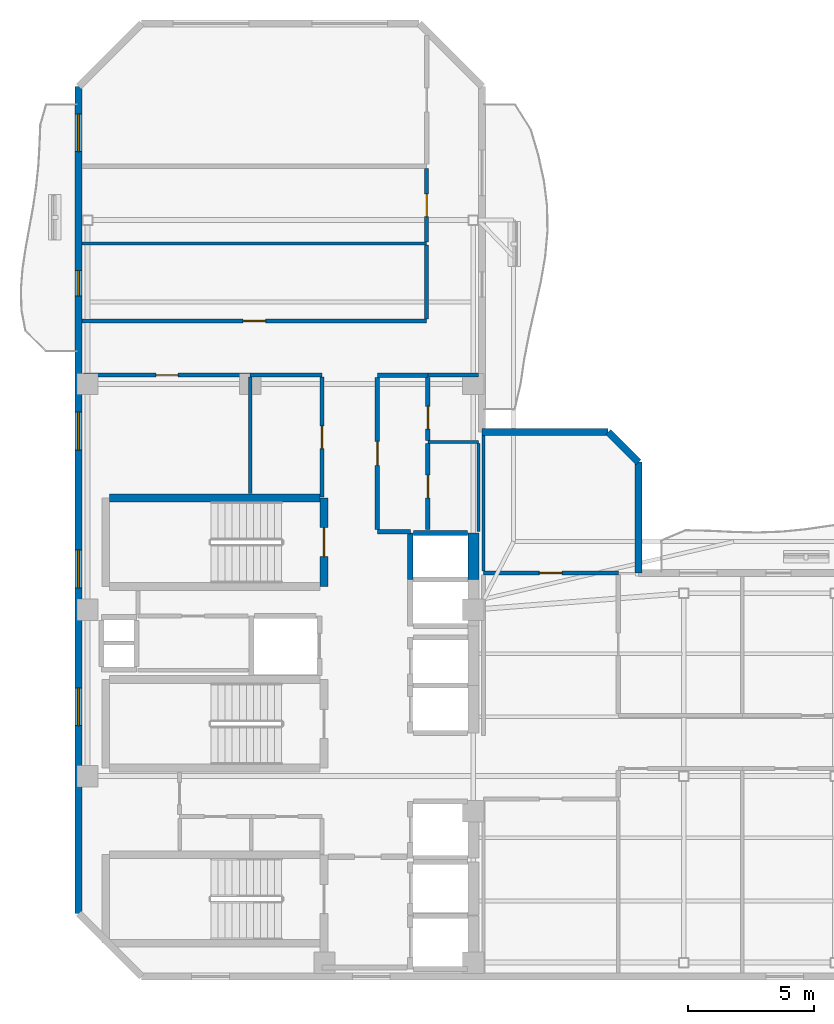
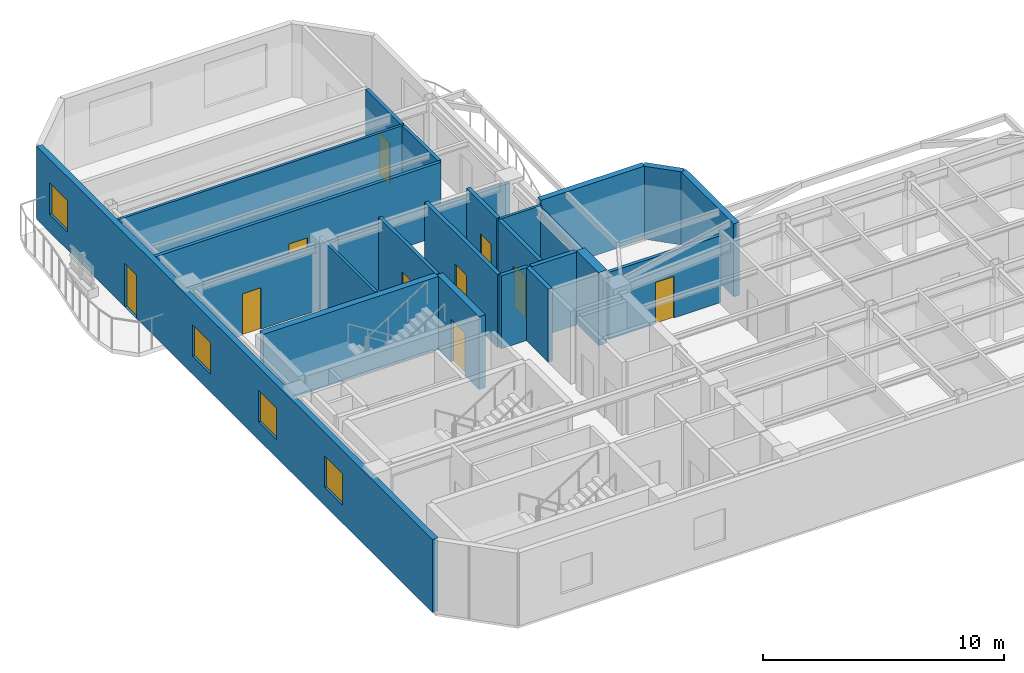
# One storey, part 4 of 7: 27 walls, 10 doors, 4 windows, 14 openings.
"""IFC4 building model written with IfcOpenShell, lengths in metres."""

from ifc_helpers import new_model, si_unit, direction, frame, frame_2d, origin, place, context, subcontext, project, spatial, rectangle, extrude, material, layer, layer_set, type_object, element, fill, save


model = new_model("IFC4")

# Units and contexts
model_context = context("Model", 3, precision=1e-05, world=origin(), true_north=direction((0.0, 1.0)))
body_context = subcontext(model_context, "Body", "Model", "MODEL_VIEW")
ifc_project = project(units=[si_unit("LENGTHUNIT", "METRE"), si_unit("AREAUNIT", "SQUARE_METRE"), si_unit("VOLUMEUNIT", "CUBIC_METRE"), si_unit("PLANEANGLEUNIT", "RADIAN"), si_unit("MASSUNIT", "GRAM", prefix="KILO")], contexts=[model_context])

# Site, building, storey
site_placement = place(None, origin())
site = spatial("IfcSite", under=ifc_project, at=site_placement, CompositionType="ELEMENT")
building_placement = place(site_placement, origin())
building = spatial("IfcBuilding", under=site, at=building_placement, Name="Mawjaban Terraces University", CompositionType="ELEMENT")
storey_placement = place(building_placement, frame((0.0, 0.0, 298.89990234375)))
storey = spatial("IfcBuildingStorey", under=building, at=storey_placement, Name="L73", CompositionType="ELEMENT", Elevation=298.89990234375)

# Walls
ifc_material_1 = material(Name="Acoustic masonry blockwork", Category="masonry")
ifc_layer_1 = layer(ifc_material_1, 0.179931640625)
ifc_layer_set_1 = layer_set([ifc_layer_1], Name="Acoustic masonry blockwork")
wall_type_1 = type_object("IfcWallType", Name="AcousticStudioWall_180", PredefinedType="PARTITIONING", material=ifc_layer_set_1)
wall_1_placement = place(storey_placement, frame((33.85009765625, 17.64990234375, 0.0), z_axis=(0.0, 0.0, 1.0), x_axis=(1.0, 0.0, 0.0)))
element("IfcWall", 1, at=wall_1_placement, inside=storey, type_object=wall_type_1, Name="L73 Graduate Research Collaboration Studio Partition 8", PredefinedType="PARTITIONING", context=body_context, shape_type="SweptSolid", body=[
    extrude(rectangle(XDim=1.2998046875, YDim=0.179931640625, at=frame_2d((0.64990234375, 0.0))), origin(), (0.0, 0.0, 1.0), 3.690185546875),
])
wall_2_placement = place(storey_placement, frame((35.85009765625, 23.85009765625, 0.0), z_axis=(0.0, 0.0, 1.0), x_axis=(-1.0, 0.0, 0.0)))
element("IfcWall", 2, at=wall_2_placement, inside=storey, type_object=wall_type_1, Name="L73 Graduate Research Collaboration Studio Partition 14", PredefinedType="PARTITIONING", context=body_context, shape_type="SweptSolid", body=[
    extrude(rectangle(XDim=2.0, YDim=0.179931640625, at=frame_2d((1.0, 0.0))), origin(), (0.0, 0.0, 1.0), 3.22705078125),
])

# Wall, opening, door
wall_3_placement = place(storey_placement, frame((33.85009765625, 17.735107421875, 0.0), z_axis=(0.0, 0.0, 1.0), x_axis=(0.0, 1.0, 0.0)))
wall_3 = element("IfcWall", 3, at=wall_3_placement, inside=storey, type_object=wall_type_1, Name="L73 Core North Lift Lobby Partition 31", PredefinedType="PARTITIONING", context=body_context, shape_type="SweptSolid", body=[
    extrude(rectangle(XDim=6.02978515625, YDim=0.179931640625, at=frame_2d((3.014892578125, 0.0))), origin(), (0.0, 0.0, 1.0), 3.690185546875),
])
opening_1_placement = place(wall_3_placement, frame((2.5400390625, 0.0, 0.0)))
opening_1 = element("IfcOpeningElement", 4, at=opening_1_placement, cuts=wall_3, Name="Opening ID-095", PredefinedType="OPENING", context=body_context, shape_type="SweptSolid", body=[
    extrude(rectangle(XDim=0.949951171875, YDim=2.10009765625, at=frame_2d((0.47509765625, 1.050048828125))), frame((0.0, 0.099853515625, 0.0), z_axis=(0.0, -1.0, 0.0), x_axis=(1.0, 0.0, 0.0)), (0.0, 0.0, 1.0), 0.199951171875),
])
ifc_material_2 = material(Name="Powder-coated steel frame and solid acoustic timber leaf", Category="steel")
door_type_1 = type_object("IfcDoorType", Name="StudioDoor_950x2100", OperationType="NOTDEFINED", PredefinedType="DOOR", material=ifc_material_2)
door_1_placement = place(opening_1_placement, origin())
door_1 = element("IfcDoor", 5, at=door_1_placement, inside=storey, type_object=door_type_1, Name="L73 Graduate Research Collaboration Studio Door", OperationType="SINGLE_SWING_RIGHT", OverallHeight=2.10009765625, OverallWidth=0.949951171875, PredefinedType="DOOR", context=body_context, shape_type="SweptSolid", body=[
    extrude(rectangle(XDim=0.949951171875, YDim=2.10009765625, at=frame_2d((0.47509765625, 1.050048828125))), frame((0.0, 0.02490234375, 0.0), z_axis=(0.0, -1.0, 0.0), x_axis=(1.0, 0.0, 0.0)), (0.0, 0.0, 1.0), 0.050048828125),
])
fill(opening_1, door_1)

wall_4_placement = place(storey_placement, frame((35.85009765625, 17.72998046875, 0.0), z_axis=(0.0, 0.0, 1.0), x_axis=(0.0, 1.0, 0.0)))
wall_4 = element("IfcWall", 6, at=wall_4_placement, inside=storey, type_object=wall_type_1, Name="L73 Graduate Research Collaboration Studio Partition 35", PredefinedType="PARTITIONING", context=body_context, shape_type="SweptSolid", body=[
    extrude(rectangle(XDim=3.412109375, YDim=0.179931640625, at=frame_2d((1.7060546875, 0.0))), origin(), (0.0, 0.0, 1.0), 3.690185546875),
])
opening_2_placement = place(wall_4_placement, frame((1.256103515625, 0.0, 0.0)))
opening_2 = element("IfcOpeningElement", 7, at=opening_2_placement, cuts=wall_4, Name="Opening ID-090", PredefinedType="OPENING", context=body_context, shape_type="SweptSolid", body=[
    extrude(rectangle(XDim=0.89990234375, YDim=2.10009765625, at=frame_2d((0.449951171875, 1.050048828125))), frame((0.0, 0.099853515625, 0.0), z_axis=(0.0, -1.0, 0.0), x_axis=(1.0, 0.0, 0.0)), (0.0, 0.0, 1.0), 0.199951171875),
])
door_type_2 = type_object("IfcDoorType", Name="OfficeDoor_900x2100", OperationType="NOTDEFINED", PredefinedType="DOOR", material=ifc_material_2)
door_2_placement = place(opening_2_placement, origin())
door_2 = element("IfcDoor", 8, at=door_2_placement, inside=storey, type_object=door_type_2, Name="L73 Research Instrument Store Door", OperationType="SINGLE_SWING_RIGHT", OverallHeight=2.10009765625, OverallWidth=0.89990234375, PredefinedType="DOOR", context=body_context, shape_type="SweptSolid", body=[
    extrude(rectangle(XDim=0.89990234375, YDim=2.10009765625, at=frame_2d((0.449951171875, 1.050048828125))), frame((0.0, 0.02490234375, 0.0), z_axis=(0.0, -1.0, 0.0), x_axis=(1.0, 0.0, 0.0)), (0.0, 0.0, 1.0), 0.050048828125),
])
fill(opening_2, door_2)

wall_5_placement = place(storey_placement, frame((35.85009765625, 21.258056640625, 0.0), z_axis=(0.0, 0.0, 1.0), x_axis=(0.0, 1.0, 0.0)))
wall_5 = element("IfcWall", 9, at=wall_5_placement, inside=storey, type_object=wall_type_1, Name="L73 Graduate Research Collaboration Studio Partition 36", PredefinedType="PARTITIONING", context=body_context, shape_type="SweptSolid", body=[
    extrude(rectangle(XDim=2.5068359375, YDim=0.179931640625, at=frame_2d((1.25341796875, 0.0))), origin(), (0.0, 0.0, 1.0), 3.690185546875),
])
opening_3_placement = place(wall_5_placement, frame((0.4541015625, 0.0, 0.0)))
opening_3 = element("IfcOpeningElement", 10, at=opening_3_placement, cuts=wall_5, Name="Opening ID-090", PredefinedType="OPENING", context=body_context, shape_type="SweptSolid", body=[
    extrude(rectangle(XDim=0.89990234375, YDim=2.10009765625, at=frame_2d((0.449951171875, 1.050048828125))), frame((0.0, 0.099853515625, 0.0), z_axis=(0.0, -1.0, 0.0), x_axis=(1.0, 0.0, 0.0)), (0.0, 0.0, 1.0), 0.199951171875),
])
door_3_placement = place(opening_3_placement, origin())
door_3 = element("IfcDoor", 11, at=door_3_placement, inside=storey, type_object=door_type_2, Name="L73 Graduate Quiet Study Alcove Door", OperationType="SINGLE_SWING_LEFT", OverallHeight=2.10009765625, OverallWidth=0.89990234375, PredefinedType="DOOR", context=body_context, shape_type="SweptSolid", body=[
    extrude(rectangle(XDim=0.89990234375, YDim=2.10009765625, at=frame_2d((0.449951171875, 1.050048828125))), frame((0.0, 0.02490234375, 0.0), z_axis=(0.0, -1.0, 0.0), x_axis=(1.0, 0.0, 0.0)), (0.0, 0.0, 1.0), 0.050048828125),
])
fill(opening_3, door_3)

# Wall
ifc_material_3 = material(Name="Concrete C50/60", Category="concrete")
ifc_layer_2 = layer(ifc_material_3, 0.419921875)
ifc_layer_set_2 = layer_set([ifc_layer_2], Name="Concrete C50/60")
wall_type_2 = type_object("IfcWallType", Name="CoreShearWall_420", PredefinedType="SHEAR", material=ifc_layer_set_2)
wall_6_placement = place(storey_placement, frame((37.659912109375, 15.75, 0.0), z_axis=(0.0, 0.0, 1.0), x_axis=(0.0, 1.0, 0.0)))
element("IfcWall", 12, at=wall_6_placement, inside=storey, type_object=wall_type_2, Name="L73 Lift OL-2 Hoistway Wall East", PredefinedType="SHEAR", context=body_context, shape_type="SweptSolid", body=[
    extrude(rectangle(XDim=1.85009765625, YDim=0.419921875, at=frame_2d((0.925048828125, 0.0))), origin(), (0.0, 0.0, 1.0), 3.690185546875),
])

# Wall, opening, door
ifc_material_4 = material(Name="Fire-rated gypsum board on steel stud", Category="steel")
ifc_layer_3 = layer(ifc_material_4, 0.159912109375)
ifc_layer_set_3 = layer_set([ifc_layer_3], Name="Fire-rated gypsum board on steel stud")
wall_type_3 = type_object("IfcWallType", Name="CorridorPartition_160", PredefinedType="PARTITIONING", material=ifc_layer_set_3)
wall_7_placement = place(storey_placement, frame((28.800048828125, 23.85009765625, 0.0), z_axis=(0.0, 0.0, 1.0), x_axis=(-1.0, 0.0, 0.0)))
wall_7 = element("IfcWall", 13, at=wall_7_placement, inside=storey, type_object=wall_type_3, Name="L73 Female Toilet Partition 4", PredefinedType="PARTITIONING", context=body_context, shape_type="SweptSolid", body=[
    extrude(rectangle(XDim=6.60009765625, YDim=0.159912109375, at=frame_2d((3.300048828125, 0.0))), origin(), (0.0, 0.0, 1.0), 3.22705078125),
])
opening_4_placement = place(wall_7_placement, frame((2.860107421875, 0.0, 0.0)))
opening_4 = element("IfcOpeningElement", 14, at=opening_4_placement, cuts=wall_7, Name="Opening ID-088", PredefinedType="OPENING", context=body_context, shape_type="SweptSolid", body=[
    extrude(rectangle(XDim=0.8798828125, YDim=2.10009765625, at=frame_2d((0.43994140625, 1.050048828125))), frame((0.0, 0.08984375, 0.0), z_axis=(0.0, -1.0, 0.0), x_axis=(1.0, 0.0, 0.0)), (0.0, 0.0, 1.0), 0.179931640625),
])
door_type_3 = type_object("IfcDoorType", Name="ToiletDoor_880x2100", OperationType="NOTDEFINED", PredefinedType="DOOR", material=ifc_material_2)
door_4_placement = place(opening_4_placement, origin())
door_4 = element("IfcDoor", 15, at=door_4_placement, inside=storey, type_object=door_type_3, Name="L73 Female Toilet Door", OperationType="SINGLE_SWING_RIGHT", OverallHeight=2.10009765625, OverallWidth=0.8798828125, PredefinedType="DOOR", context=body_context, shape_type="SweptSolid", body=[
    extrude(rectangle(XDim=0.8798828125, YDim=2.10009765625, at=frame_2d((0.43994140625, 1.050048828125))), frame((0.0, 0.02490234375, 0.0), z_axis=(0.0, -1.0, 0.0), x_axis=(1.0, 0.0, 0.0)), (0.0, 0.0, 1.0), 0.050048828125),
])
fill(opening_4, door_4)

# Wall
wall_8_placement = place(storey_placement, frame((31.64990234375, 23.85009765625, 0.0), z_axis=(0.0, 0.0, 1.0), x_axis=(-1.0, 0.0, 0.0)))
element("IfcWall", 16, at=wall_8_placement, inside=storey, type_object=wall_type_3, Name="L73 Faculty Academic Resource Office Partition 7", PredefinedType="PARTITIONING", context=body_context, shape_type="SweptSolid", body=[
    extrude(rectangle(XDim=2.849853515625, YDim=0.159912109375, at=frame_2d((1.4248046875, 0.0))), origin(), (0.0, 0.0, 1.0), 3.22705078125),
])

# Wall, opening, door
wall_9_placement = place(storey_placement, frame((35.800048828125, 26.0, 0.0), z_axis=(0.0, 0.0, 1.0), x_axis=(-1.0, 0.0, 0.0)))
wall_9 = element("IfcWall", 17, at=wall_9_placement, inside=storey, type_object=wall_type_3, Name="L73 North Core Cross-Corridor Partition 10", PredefinedType="PARTITIONING", context=body_context, shape_type="SweptSolid", body=[
    extrude(rectangle(XDim=13.6669921875, YDim=0.159912109375, at=frame_2d((6.83349609375, 0.0))), origin(), (0.0, 0.0, 1.0), 3.690185546875),
])
opening_5_placement = place(wall_9_placement, frame((6.383056640625, 0.0, 0.0)))
opening_5 = element("IfcOpeningElement", 18, at=opening_5_placement, cuts=wall_9, Name="Opening ID-090", PredefinedType="OPENING", context=body_context, shape_type="SweptSolid", body=[
    extrude(rectangle(XDim=0.89990234375, YDim=2.10009765625, at=frame_2d((0.449951171875, 1.050048828125))), frame((0.0, 0.08984375, 0.0), z_axis=(0.0, -1.0, 0.0), x_axis=(1.0, 0.0, 0.0)), (0.0, 0.0, 1.0), 0.179931640625),
])
door_5_placement = place(opening_5_placement, origin())
door_5 = element("IfcDoor", 19, at=door_5_placement, inside=storey, type_object=door_type_2, Name="L73 Departmental Office 8 Door", OperationType="SINGLE_SWING_RIGHT", OverallHeight=2.10009765625, OverallWidth=0.89990234375, PredefinedType="DOOR", context=body_context, shape_type="SweptSolid", body=[
    extrude(rectangle(XDim=0.89990234375, YDim=2.10009765625, at=frame_2d((0.449951171875, 1.050048828125))), frame((0.0, 0.02490234375, 0.0), z_axis=(0.0, -1.0, 0.0), x_axis=(1.0, 0.0, 0.0)), (0.0, 0.0, 1.0), 0.050048828125),
])
fill(opening_5, door_5)

# Wall
wall_10_placement = place(storey_placement, frame((37.85009765625, 23.85009765625, 0.0), z_axis=(0.0, 0.0, 1.0), x_axis=(-1.0, 0.0, 0.0)))
element("IfcWall", 20, at=wall_10_placement, inside=storey, type_object=wall_type_3, Name="L73 Graduate Quiet Study Alcove Partition 15", PredefinedType="PARTITIONING", context=body_context, shape_type="SweptSolid", body=[
    extrude(rectangle(XDim=2.0, YDim=0.159912109375, at=frame_2d((1.0, 0.0))), origin(), (0.0, 0.0, 1.0), 3.22705078125),
])

# Wall, opening, door
wall_11_placement = place(storey_placement, frame((43.39990234375, 16.0, 0.0), z_axis=(0.0, 0.0, 1.0), x_axis=(-1.0, 0.0, 0.0)))
wall_11 = element("IfcWall", 21, at=wall_11_placement, inside=storey, type_object=wall_type_3, Name="L73 Upper Research Hub Concourse Partition 18", PredefinedType="PARTITIONING", context=body_context, shape_type="SweptSolid", body=[
    extrude(rectangle(XDim=5.349853515625, YDim=0.159912109375, at=frame_2d((2.6748046875, 0.0))), origin(), (0.0, 0.0, 1.0), 3.39013671875),
])
opening_6_placement = place(wall_11_placement, frame((2.22509765625, 0.0, 0.0)))
opening_6 = element("IfcOpeningElement", 22, at=opening_6_placement, cuts=wall_11, Name="Opening ID-090", PredefinedType="OPENING", context=body_context, shape_type="SweptSolid", body=[
    extrude(rectangle(XDim=0.89990234375, YDim=2.10009765625, at=frame_2d((0.449951171875, 1.050048828125))), frame((0.0, 0.08984375, 0.0), z_axis=(0.0, -1.0, 0.0), x_axis=(1.0, 0.0, 0.0)), (0.0, 0.0, 1.0), 0.179931640625),
])
door_6_placement = place(opening_6_placement, origin())
door_6 = element("IfcDoor", 23, at=door_6_placement, inside=storey, type_object=door_type_2, Name="L73 Terrace Collaborative Study Room Door", OperationType="SINGLE_SWING_LEFT", OverallHeight=2.10009765625, OverallWidth=0.89990234375, PredefinedType="DOOR", context=body_context, shape_type="SweptSolid", body=[
    extrude(rectangle(XDim=0.89990234375, YDim=2.10009765625, at=frame_2d((0.449951171875, 1.050048828125))), frame((0.0, 0.02490234375, 0.0), z_axis=(0.0, -1.0, 0.0), x_axis=(1.0, 0.0, 0.0)), (0.0, 0.0, 1.0), 0.050048828125),
])
fill(opening_6, door_6)

wall_12_placement = place(storey_placement, frame((31.64990234375, 19.010009765625, 0.0), z_axis=(0.0, 0.0, 1.0), x_axis=(0.0, 1.0, 0.0)))
wall_12 = element("IfcWall", 24, at=wall_12_placement, inside=storey, type_object=wall_type_3, Name="L73 Faculty Academic Resource Office Partition 30", PredefinedType="PARTITIONING", context=body_context, shape_type="SweptSolid", body=[
    extrude(rectangle(XDim=4.764892578125, YDim=0.159912109375, at=frame_2d((2.38232421875, 0.0))), origin(), (0.0, 0.0, 1.0), 3.690185546875),
])
opening_7_placement = place(wall_12_placement, frame((1.931884765625, 0.0, 0.0)))
opening_7 = element("IfcOpeningElement", 25, at=opening_7_placement, cuts=wall_12, Name="Opening ID-090", PredefinedType="OPENING", context=body_context, shape_type="SweptSolid", body=[
    extrude(rectangle(XDim=0.89990234375, YDim=2.10009765625, at=frame_2d((0.449951171875, 1.050048828125))), frame((0.0, 0.08984375, 0.0), z_axis=(0.0, -1.0, 0.0), x_axis=(1.0, 0.0, 0.0)), (0.0, 0.0, 1.0), 0.179931640625),
])
door_7_placement = place(opening_7_placement, origin())
door_7 = element("IfcDoor", 26, at=door_7_placement, inside=storey, type_object=door_type_2, Name="L73 Faculty Academic Resource Office Door", OperationType="SINGLE_SWING_LEFT", OverallHeight=2.10009765625, OverallWidth=0.89990234375, PredefinedType="DOOR", context=body_context, shape_type="SweptSolid", body=[
    extrude(rectangle(XDim=0.89990234375, YDim=2.10009765625, at=frame_2d((0.449951171875, 1.050048828125))), frame((0.0, 0.02490234375, 0.0), z_axis=(0.0, -1.0, 0.0), x_axis=(1.0, 0.0, 0.0)), (0.0, 0.0, 1.0), 0.050048828125),
])
fill(opening_7, door_7)

# Wall
wall_13_placement = place(storey_placement, frame((35.800048828125, 29.011962890625, 0.0), z_axis=(0.0, 0.0, 1.0), x_axis=(0.0, -1.0, 0.0)))
element("IfcWall", 27, at=wall_13_placement, inside=storey, type_object=wall_type_3, Name="L73 Upper North Research Gallery Partition 32", PredefinedType="PARTITIONING", context=body_context, shape_type="SweptSolid", body=[
    extrude(rectangle(XDim=2.93701171875, YDim=0.159912109375, at=frame_2d((1.468505859375, 0.0))), origin(), (0.0, 0.0, 1.0), 3.690185546875),
])

# Wall, opening, door
wall_14_placement = place(storey_placement, frame((35.800048828125, 32.054931640625, 0.0), z_axis=(0.0, 0.0, 1.0), x_axis=(0.0, -1.0, 0.0)))
wall_14 = element("IfcWall", 28, at=wall_14_placement, inside=storey, type_object=wall_type_3, Name="L73 Upper North Research Gallery Partition 33", PredefinedType="PARTITIONING", context=body_context, shape_type="SweptSolid", body=[
    extrude(rectangle(XDim=2.927001953125, YDim=0.159912109375, at=frame_2d((1.46337890625, 0.0))), origin(), (0.0, 0.0, 1.0), 3.690185546875),
])
opening_8_placement = place(wall_14_placement, frame((1.012939453125, 0.0, 0.0)))
opening_8 = element("IfcOpeningElement", 29, at=opening_8_placement, cuts=wall_14, Name="Opening ID-090", PredefinedType="OPENING", context=body_context, shape_type="SweptSolid", body=[
    extrude(rectangle(XDim=0.89990234375, YDim=2.10009765625, at=frame_2d((0.449951171875, 1.050048828125))), frame((0.0, 0.08984375, 0.0), z_axis=(0.0, -1.0, 0.0), x_axis=(1.0, 0.0, 0.0)), (0.0, 0.0, 1.0), 0.179931640625),
])
door_8_placement = place(opening_8_placement, origin())
door_8 = element("IfcDoor", 30, at=door_8_placement, inside=storey, type_object=door_type_2, Name="L73 Quiet Reading Room 9 Door", OperationType="SINGLE_SWING_LEFT", OverallHeight=2.10009765625, OverallWidth=0.89990234375, PredefinedType="DOOR", context=body_context, shape_type="SweptSolid", body=[
    extrude(rectangle(XDim=0.89990234375, YDim=2.10009765625, at=frame_2d((0.449951171875, 1.050048828125))), frame((0.0, 0.02490234375, 0.0), z_axis=(0.0, -1.0, 0.0), x_axis=(1.0, 0.0, 0.0)), (0.0, 0.0, 1.0), 0.050048828125),
])
fill(opening_8, door_8)

# Walls
ifc_material_5 = material(Name="Insulated terracotta rainscreen on concrete backup C40/50", Category="masonry")
ifc_layer_4 = layer(ifc_material_5, 0.27490234375)
ifc_layer_set_4 = layer_set([ifc_layer_4], Name="Insulated terracotta rainscreen on concrete backup C40/50")
wall_type_4 = type_object("IfcWallType", Name="ExtTerracottaWall_275", PredefinedType="SOLIDWALL", material=ifc_layer_set_4)
wall_15_placement = place(storey_placement, frame((44.199951171875, 16.0, 0.0), z_axis=(0.0, 0.0, 1.0), x_axis=(0.0, 1.0, 0.0)))
element("IfcWall", 31, at=wall_15_placement, inside=storey, type_object=wall_type_4, Name="L73 Exterior Terracotta Wall 6", PredefinedType="SOLIDWALL", context=body_context, shape_type="SweptSolid", body=[
    extrude(rectangle(XDim=4.39990234375, YDim=0.27490234375, at=frame_2d((2.199951171875, 0.0))), origin(), (0.0, 0.0, 1.0), 3.690185546875),
])
wall_16_placement = place(storey_placement, frame((44.199951171875, 20.39990234375, 0.0), z_axis=(0.0, 0.0, 1.0), x_axis=(-0.707034851297, 0.707178703759, 0.0)))
element("IfcWall", 32, at=wall_16_placement, inside=storey, type_object=wall_type_4, Name="L73 Exterior Terracotta Wall 7", PredefinedType="SOLIDWALL", context=body_context, shape_type="SweptSolid", body=[
    extrude(rectangle(XDim=1.697265625, YDim=0.27490234375, at=frame_2d((0.8486328125, 0.0))), origin(), (0.0, 0.0, 1.0), 3.690185546875),
])
wall_17_placement = place(storey_placement, frame((43.0, 21.60009765625, 0.0), z_axis=(0.0, 0.0, 1.0), x_axis=(-1.0, 0.0, 0.0)))
element("IfcWall", 33, at=wall_17_placement, inside=storey, type_object=wall_type_4, Name="L73 Exterior Terracotta Wall 8", PredefinedType="SOLIDWALL", context=body_context, shape_type="SweptSolid", body=[
    extrude(rectangle(XDim=5.0, YDim=0.27490234375, at=frame_2d((2.5, 0.0))), origin(), (0.0, 0.0, 1.0), 3.690185546875),
])

# Wall, openings, door, windows
wall_18_placement = place(storey_placement, frame((22.0, 35.300048828125, 0.0), z_axis=(0.0, 0.0, 1.0), x_axis=(0.0, -1.0, 0.0)))
wall_18 = element("IfcWall", 34, at=wall_18_placement, inside=storey, type_object=wall_type_4, Name="L73 Exterior Terracotta Wall 13", PredefinedType="SOLIDWALL", context=body_context, shape_type="SweptSolid", body=[
    extrude(rectangle(XDim=32.800048828125, YDim=0.27490234375, at=frame_2d((16.39990234375, 0.0))), origin(), (0.0, 0.0, 1.0), 3.690185546875),
])
opening_9_placement = place(wall_18_placement, frame((7.300048828125, 0.0, 0.0)))
opening_9 = element("IfcOpeningElement", 35, at=opening_9_placement, cuts=wall_18, Name="Opening BD-100", PredefinedType="OPENING", context=body_context, shape_type="SweptSolid", body=[
    extrude(rectangle(XDim=1.0, YDim=2.199951171875, at=frame_2d((0.5, 1.10009765625))), frame((0.0, 0.1474609375, 0.0), z_axis=(0.0, -1.0, 0.0), x_axis=(1.0, 0.0, 0.0)), (0.0, 0.0, 1.0), 0.294921875),
])
opening_10_placement = place(wall_18_placement, frame((1.0830078125, 0.0, 0.89990234375)))
opening_10 = element("IfcOpeningElement", 36, at=opening_10_placement, cuts=wall_18, Name="Opening W-02", PredefinedType="OPENING", context=body_context, shape_type="SweptSolid", body=[
    extrude(rectangle(XDim=1.5, YDim=1.60009765625, at=frame_2d((0.75, 0.800048828125))), frame((0.0, 0.1474609375, 0.0), z_axis=(0.0, -1.0, 0.0), x_axis=(1.0, 0.0, 0.0)), (0.0, 0.0, 1.0), 0.294921875),
])
opening_11_placement = place(wall_18_placement, frame((12.9169921875, 0.0, 0.89990234375)))
opening_11 = element("IfcOpeningElement", 37, at=opening_11_placement, cuts=wall_18, Name="Opening W-02", PredefinedType="OPENING", context=body_context, shape_type="SweptSolid", body=[
    extrude(rectangle(XDim=1.5, YDim=1.60009765625, at=frame_2d((0.75, 0.800048828125))), frame((0.0, 0.1474609375, 0.0), z_axis=(0.0, -1.0, 0.0), x_axis=(1.0, 0.0, 0.0)), (0.0, 0.0, 1.0), 0.294921875),
])
opening_12_placement = place(wall_18_placement, frame((18.383056640625, 0.0, 0.89990234375)))
opening_12 = element("IfcOpeningElement", 38, at=opening_12_placement, cuts=wall_18, Name="Opening W-02", PredefinedType="OPENING", context=body_context, shape_type="SweptSolid", body=[
    extrude(rectangle(XDim=1.5, YDim=1.60009765625, at=frame_2d((0.75, 0.800048828125))), frame((0.0, 0.1474609375, 0.0), z_axis=(0.0, -1.0, 0.0), x_axis=(1.0, 0.0, 0.0)), (0.0, 0.0, 1.0), 0.294921875),
])
opening_13_placement = place(wall_18_placement, frame((23.85009765625, 0.0, 0.89990234375)))
opening_13 = element("IfcOpeningElement", 39, at=opening_13_placement, cuts=wall_18, Name="Opening W-02", PredefinedType="OPENING", context=body_context, shape_type="SweptSolid", body=[
    extrude(rectangle(XDim=1.5, YDim=1.60009765625, at=frame_2d((0.75, 0.800048828125))), frame((0.0, 0.1474609375, 0.0), z_axis=(0.0, -1.0, 0.0), x_axis=(1.0, 0.0, 0.0)), (0.0, 0.0, 1.0), 0.294921875),
])
ifc_material_6 = material(Name="Thermally broken anodised aluminium and laminated safety glass", Category="aluminium")
door_type_4 = type_object("IfcDoorType", Name="BalconyGlazedDoor_1000x2200", OperationType="NOTDEFINED", PredefinedType="DOOR", material=ifc_material_6)
door_9_placement = place(opening_9_placement, origin())
door_9 = element("IfcDoor", 40, at=door_9_placement, inside=storey, type_object=door_type_4, Name="L73 Balcony Access Door west", OperationType="SINGLE_SWING_RIGHT", OverallHeight=2.199951171875, OverallWidth=1.0, PredefinedType="DOOR", context=body_context, shape_type="SweptSolid", body=[
    extrude(rectangle(XDim=1.0, YDim=2.199951171875, at=frame_2d((0.5, 1.10009765625))), frame((0.0, 0.02490234375, 0.0), z_axis=(0.0, -1.0, 0.0), x_axis=(1.0, 0.0, 0.0)), (0.0, 0.0, 1.0), 0.050048828125),
])
fill(opening_9, door_9)
ifc_material_7 = material(Name="Low-E solar-control double glazing in thermally broken aluminium frame", Category="aluminium")
window_type = type_object("IfcWindowType", Name="Win_1500x1600", PartitioningType="SINGLE_PANEL", PredefinedType="WINDOW", material=ifc_material_7)
window_1_placement = place(opening_10_placement, origin())
window_1 = element("IfcWindow", 41, at=window_1_placement, inside=storey, type_object=window_type, Name="L73 Facade Window 13.1", OverallHeight=1.60009765625, OverallWidth=1.5, PartitioningType="SINGLE_PANEL", PredefinedType="WINDOW", context=body_context, shape_type="SweptSolid", body=[
    extrude(rectangle(XDim=1.5, YDim=1.60009765625, at=frame_2d((0.75, 0.800048828125))), frame((0.0, 0.030029296875, 0.0), z_axis=(0.0, -1.0, 0.0), x_axis=(1.0, 0.0, 0.0)), (0.0, 0.0, 1.0), 0.06005859375),
])
fill(opening_10, window_1)
window_2_placement = place(opening_11_placement, origin())
window_2 = element("IfcWindow", 42, at=window_2_placement, inside=storey, type_object=window_type, Name="L73 Facade Window 13.3", OverallHeight=1.60009765625, OverallWidth=1.5, PartitioningType="SINGLE_PANEL", PredefinedType="WINDOW", context=body_context, shape_type="SweptSolid", body=[
    extrude(rectangle(XDim=1.5, YDim=1.60009765625, at=frame_2d((0.75, 0.800048828125))), frame((0.0, 0.030029296875, 0.0), z_axis=(0.0, -1.0, 0.0), x_axis=(1.0, 0.0, 0.0)), (0.0, 0.0, 1.0), 0.06005859375),
])
fill(opening_11, window_2)
window_3_placement = place(opening_12_placement, origin())
window_3 = element("IfcWindow", 43, at=window_3_placement, inside=storey, type_object=window_type, Name="L73 Facade Window 13.4", OverallHeight=1.60009765625, OverallWidth=1.5, PartitioningType="SINGLE_PANEL", PredefinedType="WINDOW", context=body_context, shape_type="SweptSolid", body=[
    extrude(rectangle(XDim=1.5, YDim=1.60009765625, at=frame_2d((0.75, 0.800048828125))), frame((0.0, 0.030029296875, 0.0), z_axis=(0.0, -1.0, 0.0), x_axis=(1.0, 0.0, 0.0)), (0.0, 0.0, 1.0), 0.06005859375),
])
fill(opening_12, window_3)
window_4_placement = place(opening_13_placement, origin())
window_4 = element("IfcWindow", 44, at=window_4_placement, inside=storey, type_object=window_type, Name="L73 Facade Window 13.5", OverallHeight=1.60009765625, OverallWidth=1.5, PartitioningType="SINGLE_PANEL", PredefinedType="WINDOW", context=body_context, shape_type="SweptSolid", body=[
    extrude(rectangle(XDim=1.5, YDim=1.60009765625, at=frame_2d((0.75, 0.800048828125))), frame((0.0, 0.030029296875, 0.0), z_axis=(0.0, -1.0, 0.0), x_axis=(1.0, 0.0, 0.0)), (0.0, 0.0, 1.0), 0.06005859375),
])
fill(opening_13, window_4)

# Walls
ifc_material_8 = material(Name="Concrete C40/50", Category="concrete")
ifc_layer_5 = layer(ifc_material_8, 0.199951171875)
ifc_layer_set_5 = layer_set([ifc_layer_5], Name="Concrete C40/50")
wall_type_5 = type_object("IfcWallType", Name="FireLobbyWall_200", PredefinedType="SOLIDWALL", material=ifc_layer_set_5)
wall_19_placement = place(storey_placement, frame((35.14990234375, 17.60009765625, 0.0), z_axis=(0.0, 0.0, 1.0), x_axis=(0.0, -1.0, 0.0)))
element("IfcWall", 45, at=wall_19_placement, inside=storey, type_object=wall_type_5, Name="L73 Lift OL-2 Hoistway Wall West", PredefinedType="SOLIDWALL", context=body_context, shape_type="SweptSolid", body=[
    extrude(rectangle(XDim=1.85009765625, YDim=0.199951171875, at=frame_2d((0.925048828125, 0.0))), origin(), (0.0, 0.0, 1.0), 3.690185546875),
])
wall_20_placement = place(storey_placement, frame((37.419921875, 17.60009765625, 0.0), z_axis=(0.0, 0.0, 1.0), x_axis=(-1.0, 0.0, 0.0)))
element("IfcWall", 46, at=wall_20_placement, inside=storey, type_object=wall_type_5, Name="L73 Lift OL-2 Hoistway Wall North", PredefinedType="SOLIDWALL", context=body_context, shape_type="SweptSolid", body=[
    extrude(rectangle(XDim=2.139892578125, YDim=0.199951171875, at=frame_2d((1.06982421875, 0.0))), origin(), (0.0, 0.0, 1.0), 3.690185546875),
])
ifc_material_9 = material(Name="Gypsum plasterboard on steel stud", Category="steel")
ifc_layer_6 = layer(ifc_material_9, 0.125)
ifc_layer_set_6 = layer_set([ifc_layer_6], Name="Gypsum plasterboard on steel stud")
wall_type_6 = type_object("IfcWallType", Name="OfficePartition_125", PredefinedType="PARTITIONING", material=ifc_layer_set_6)
wall_21_placement = place(storey_placement, frame((35.800048828125, 29.070068359375, 0.0), z_axis=(0.0, 0.0, 1.0), x_axis=(-1.0, 0.0, 0.0)))
element("IfcWall", 47, at=wall_21_placement, inside=storey, type_object=wall_type_6, Name="L73 Departmental Office 8 Partition 11", PredefinedType="PARTITIONING", context=body_context, shape_type="SweptSolid", body=[
    extrude(rectangle(XDim=13.6669921875, YDim=0.125, at=frame_2d((6.83349609375, 0.0))), origin(), (0.0, 0.0, 1.0), 3.690185546875),
])
wall_22_placement = place(storey_placement, frame((35.85009765625, 21.199951171875, 0.0), z_axis=(0.0, 0.0, 1.0), x_axis=(1.0, 0.0, 0.0)))
element("IfcWall", 48, at=wall_22_placement, inside=storey, type_object=wall_type_6, Name="L73 Graduate Quiet Study Alcove Partition 13", PredefinedType="PARTITIONING", context=body_context, shape_type="SweptSolid", body=[
    extrude(rectangle(XDim=2.0, YDim=0.125, at=frame_2d((1.0, 0.0))), origin(), (0.0, 0.0, 1.0), 3.690185546875),
])
wall_23_placement = place(storey_placement, frame((37.85009765625, 17.64990234375, 0.0), z_axis=(0.0, 0.0, 1.0), x_axis=(0.0, 1.0, 0.0)))
element("IfcWall", 49, at=wall_23_placement, inside=storey, type_object=wall_type_6, Name="L73 Research Instrument Store Partition 37", PredefinedType="PARTITIONING", context=body_context, shape_type="SweptSolid", body=[
    extrude(rectangle(XDim=3.4921875, YDim=0.125, at=frame_2d((1.74609375, 0.0))), origin(), (0.0, 0.0, 1.0), 3.22705078125),
])
wall_24_placement = place(storey_placement, frame((38.050048828125, 21.468017578125, 0.0), z_axis=(0.0, 0.0, 1.0), x_axis=(0.0, -1.0, 0.0)))
element("IfcWall", 50, at=wall_24_placement, inside=storey, type_object=wall_type_6, Name="L73 Terrace Collaborative Study Room Partition 40", PredefinedType="PARTITIONING", context=body_context, shape_type="SweptSolid", body=[
    extrude(rectangle(XDim=5.39306640625, YDim=0.125, at=frame_2d((2.696533203125, 0.0))), origin(), (0.0, 0.0, 1.0), 3.22705078125),
])
ifc_material_10 = material(Name="Concrete C60/75", Category="concrete")
ifc_layer_7 = layer(ifc_material_10, 0.300048828125)
ifc_layer_set_7 = layer_set([ifc_layer_7], Name="Concrete C60/75")
wall_type_7 = type_object("IfcWallType", Name="StairShaftWall_300", PredefinedType="SHEAR", material=ifc_layer_set_7)
wall_25_placement = place(storey_placement, frame((31.580078125, 18.97998046875, 0.0), z_axis=(0.0, 0.0, 1.0), x_axis=(-1.0, 0.0, 0.0)))
element("IfcWall", 51, at=wall_25_placement, inside=storey, type_object=wall_type_7, Name="L73 ST-2 Stair Shaft Wall 1", PredefinedType="SHEAR", context=body_context, shape_type="SweptSolid", body=[
    extrude(rectangle(XDim=8.360107421875, YDim=0.300048828125, at=frame_2d((4.18017578125, 0.0))), origin(), (0.0, 0.0, 1.0), 3.690185546875),
])

# Wall, opening, door
wall_26_placement = place(storey_placement, frame((31.72998046875, 15.469970703125, 0.0), z_axis=(0.0, 0.0, 1.0), x_axis=(0.0, 1.0, 0.0)))
wall_26 = element("IfcWall", 52, at=wall_26_placement, inside=storey, type_object=wall_type_7, Name="L73 ST-2 Stair Shaft Wall 4", PredefinedType="SHEAR", context=body_context, shape_type="SweptSolid", body=[
    extrude(rectangle(XDim=3.510009765625, YDim=0.300048828125, at=frame_2d((1.7548828125, 0.0))), origin(), (0.0, 0.0, 1.0), 3.690185546875),
])
opening_14_placement = place(wall_26_placement, frame((1.179931640625, 0.0, 0.0)))
opening_14 = element("IfcOpeningElement", 53, at=opening_14_placement, cuts=wall_26, Name="Opening FD-115", PredefinedType="OPENING", context=body_context, shape_type="SweptSolid", body=[
    extrude(rectangle(XDim=1.14990234375, YDim=2.14990234375, at=frame_2d((0.574951171875, 1.074951171875))), frame((0.0, 0.159912109375, 0.0), z_axis=(0.0, -1.0, 0.0), x_axis=(1.0, 0.0, 0.0)), (0.0, 0.0, 1.0), 0.320068359375),
])
ifc_material_11 = material(Name="Powder-coated steel frame and fire-rated steel-faced leaf", Category="steel")
door_type_5 = type_object("IfcDoorType", Name="FireStairDoor_1150x2150", OperationType="NOTDEFINED", PredefinedType="DOOR", material=ifc_material_11)
door_10_placement = place(opening_14_placement, origin())
door_10 = element("IfcDoor", 54, at=door_10_placement, inside=storey, type_object=door_type_5, Name="L73 ST-2 Pressurised Stair Fire Door", OperationType="SINGLE_SWING_LEFT", OverallHeight=2.14990234375, OverallWidth=1.14990234375, PredefinedType="DOOR", context=body_context, shape_type="SweptSolid", body=[
    extrude(rectangle(XDim=1.14990234375, YDim=2.14990234375, at=frame_2d((0.574951171875, 1.074951171875))), frame((0.0, 0.02490234375, 0.0), z_axis=(0.0, -1.0, 0.0), x_axis=(1.0, 0.0, 0.0)), (0.0, 0.0, 1.0), 0.050048828125),
])
fill(opening_14, door_10)

# Wall
ifc_material_12 = material(Name="Cement-board wet-room partition", Category="masonry")
ifc_layer_8 = layer(ifc_material_12, 0.135009765625)
ifc_layer_set_8 = layer_set([ifc_layer_8], Name="Cement-board wet-room partition")
wall_type_8 = type_object("IfcWallType", Name="WetRoomPartition_135", PredefinedType="PARTITIONING", material=ifc_layer_set_8)
wall_27_placement = place(storey_placement, frame((28.800048828125, 23.77490234375, 0.0), z_axis=(0.0, 0.0, 1.0), x_axis=(0.0, -1.0, 0.0)))
element("IfcWall", 55, at=wall_27_placement, inside=storey, type_object=wall_type_8, Name="L73 Faculty Academic Resource Office Partition 27", PredefinedType="PARTITIONING", context=body_context, shape_type="SweptSolid", body=[
    extrude(rectangle(XDim=4.614990234375, YDim=0.135009765625, at=frame_2d((2.3076171875, 0.0))), origin(), (0.0, 0.0, 1.0), 3.690185546875),
])

save(model, "model.ifc")
